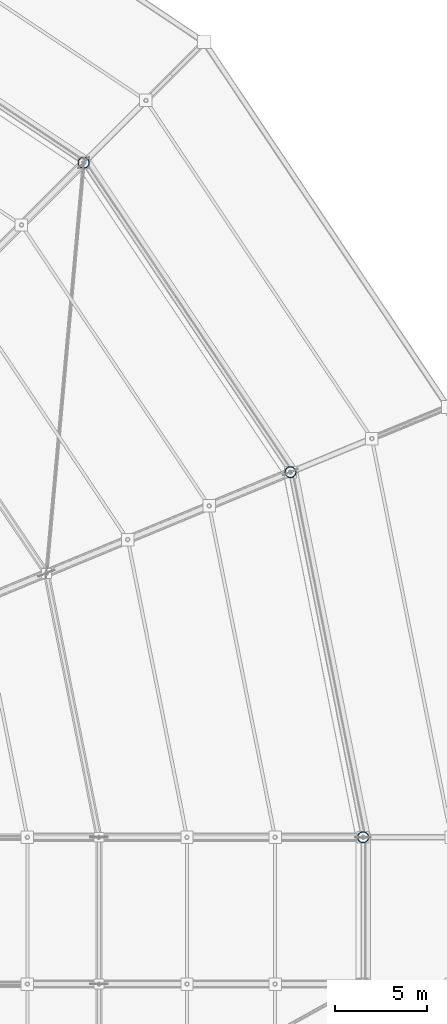
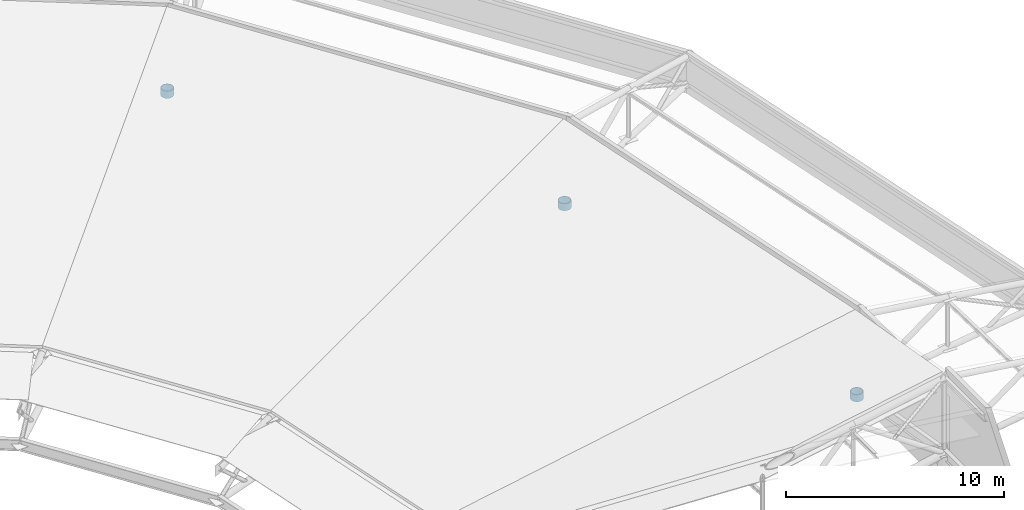
# One storey, part 11 of 146: 3 columns.
"""IFC4 building model written with IfcOpenShell, lengths in metres."""

from ifc_helpers import new_model, si_unit, direction, frame, origin, origin_2d, place, context, subcontext, project, spatial, hollow_circle, extrude, material, material_profile, profile_set, type_object, element, save


model = new_model("IFC4")

# Units and contexts
model_context = context("Model", 3, precision=1e-05, world=origin(), true_north=direction((0.0, 1.0)))
body_context = subcontext(model_context, "Body", "Model", "MODEL_VIEW")
ifc_project = project(units=[si_unit("LENGTHUNIT", "METRE"), si_unit("AREAUNIT", "SQUARE_METRE"), si_unit("VOLUMEUNIT", "CUBIC_METRE"), si_unit("PLANEANGLEUNIT", "RADIAN"), si_unit("MASSUNIT", "GRAM", prefix="KILO")], contexts=[model_context])

# Site, building, storey
site_placement = place(None, origin())
site = spatial("IfcSite", under=ifc_project, at=site_placement, CompositionType="ELEMENT")
building_placement = place(site_placement, origin())
building = spatial("IfcBuilding", under=site, at=building_placement, Name="Candeia Ridge Stadium", CompositionType="ELEMENT")
storey_placement = place(building_placement, frame((0.0, 0.0, 31.800048828125)))
storey = spatial("IfcBuildingStorey", under=building, at=storey_placement, Name="RF", CompositionType="ELEMENT", Elevation=31.800048828125)

# Columns
ifc_material = material(Name="Steel ASTM A572 Grade 50", Category="steel")
ifc_material_profile = material_profile(ifc_material, hollow_circle(Radius=0.304931640625, WallThickness=0.02490234375, at=origin_2d()), Name="CHS610x25", Category="steel")
ifc_profile_set = profile_set([ifc_material_profile], Name="Steel ASTM A572 Grade 50")
column_type = type_object("IfcColumnType", Name="Roof Mast Column CHS610x25", PredefinedType="PILASTER", material=ifc_profile_set)
for number, where, z_axis, x_axis, name in (
    (1, (193.0, 95.0, 0.0), (0.0, 0.0, 1.0), (1.0, 0.0, 0.0), "Roof truss steel mast column BC-OU-32 RF"),
    (2, (189.041748046875, 114.899658203125, 0.0), (0.0, 0.0, 1.0), (1.0, 0.0, 0.0), "Roof truss steel mast column BC-OU-33 RF"),
    (3, (177.76953125, 131.76953125, 0.0), (0.0, 0.0, 1.0), (1.0, 0.0, 0.0), "Roof truss steel mast column BC-OU-34 RF"),
):
    element("IfcColumn", number, at=place(storey_placement, frame(where, z_axis=z_axis, x_axis=x_axis)), inside=storey, type_object=column_type, Name=name, PredefinedType="PILASTER", context=body_context, shape_type="SweptSolid", body=[
        extrude(hollow_circle(Radius=0.304931640625, WallThickness=0.02490234375, at=origin_2d()), origin(), (0.0, 0.0, 1.0), 0.39990234375),
    ])

save(model, "model.ifc")
